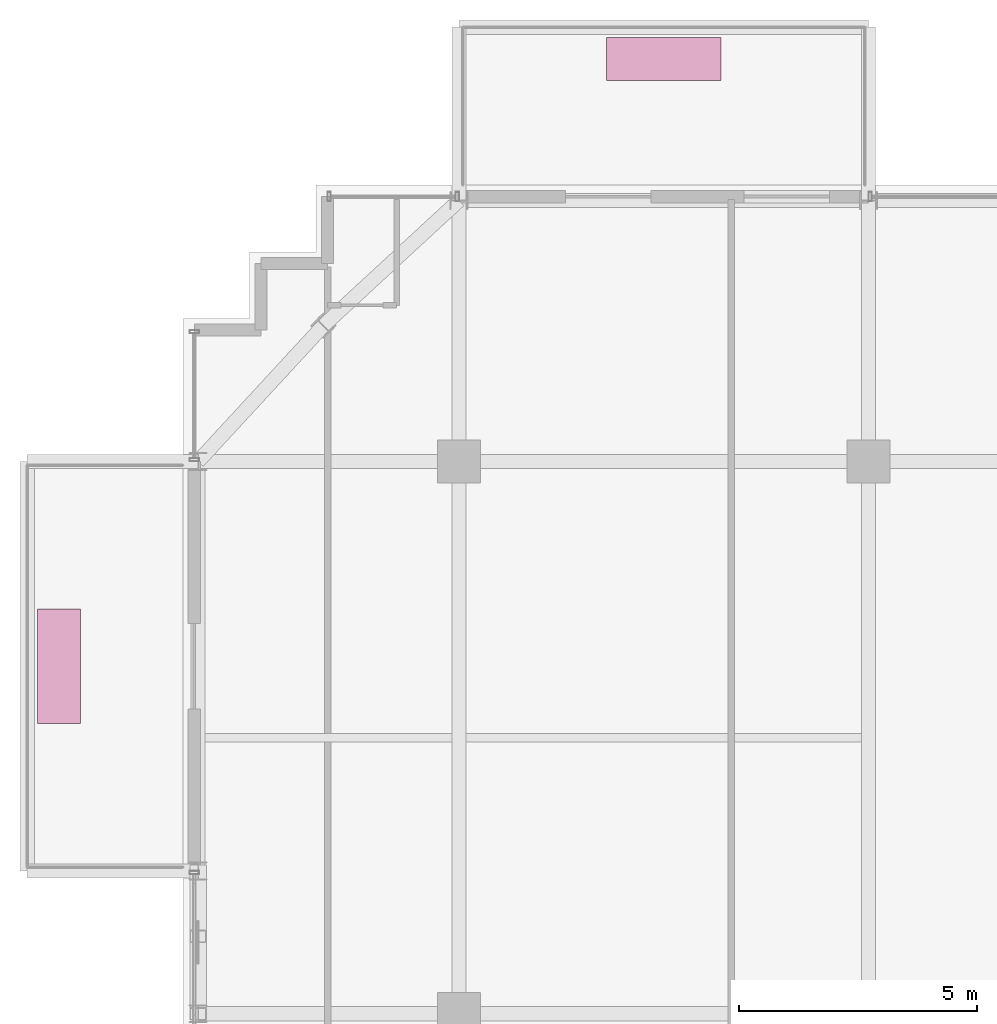
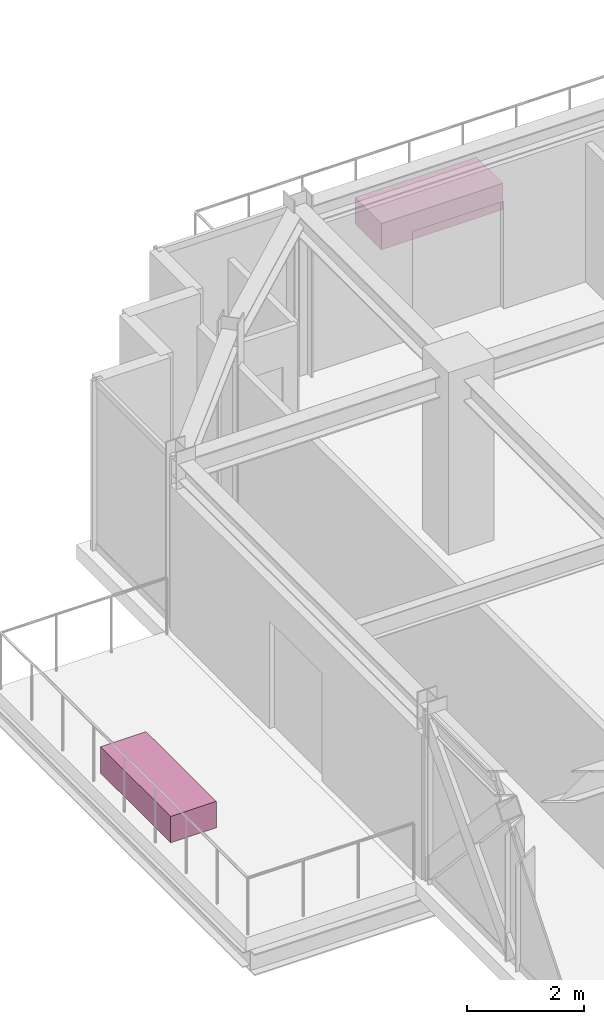
# One storey, part 40 of 40: 2 furnishings.
"""IFC4 building model written with IfcOpenShell, lengths in metres."""

from ifc_helpers import new_model, si_unit, direction, frame, origin, origin_2d, place, context, subcontext, project, spatial, rectangle, extrude, source, transform, mapped, material, type_object, element, save


model = new_model("IFC4")

# Units and contexts
model_context = context("Model", 3, precision=1e-05, world=origin(), true_north=direction((0.0, 1.0)))
body_context = subcontext(model_context, "Body", "Model", "MODEL_VIEW")
ifc_project = project(units=[si_unit("LENGTHUNIT", "METRE"), si_unit("AREAUNIT", "SQUARE_METRE"), si_unit("VOLUMEUNIT", "CUBIC_METRE"), si_unit("PLANEANGLEUNIT", "RADIAN"), si_unit("MASSUNIT", "GRAM", prefix="KILO")], contexts=[model_context])

# Site, building, storey
site_placement = place(None, origin())
site = spatial("IfcSite", under=ifc_project, at=site_placement, CompositionType="ELEMENT")
building_placement = place(site_placement, origin())
building = spatial("IfcBuilding", under=site, at=building_placement, Name="Nahalor Promenade Grand Hotel", CompositionType="ELEMENT")
storey_placement = place(building_placement, frame((0.0, 0.0, 288.800048828125)))
storey = spatial("IfcBuildingStorey", under=building, at=storey_placement, Name="L74", CompositionType="ELEMENT", Elevation=288.800048828125)

# Furnishings
ifc_material = material(Name="Vegetated Volcanic-Lapilli Tree Planter", Category="earth")
furnishing_element_type = type_object("IfcFurnishingElementType", Name="Planter-VerticalForest-Box", material=ifc_material)
shared_shape = source(origin(), body_context, "Body", "SweptSolid", [
    extrude(rectangle(XDim=2.39990234375, YDim=0.89990234375, at=origin_2d()), origin(), (0.0, 0.0, 1.0), 0.550048828125),
])
for number, where, z_axis, x_axis, name in (
    (1, (-12.699951171875, 25.449951171875, 0.0), (0.0, 0.0, 1.0), (1.0, 0.0, 0.0), "L74 Balcony Structural Tree Planter 1"),
    (2, (-25.39990234375, 12.699951171875, 0.0), (0.0, 0.0, 1.0), (0.0, 1.0, 0.0), "L74 Balcony Structural Tree Planter 2"),
):
    element("IfcFurnishingElement", number, at=place(storey_placement, frame(where, z_axis=z_axis, x_axis=x_axis)), inside=storey, type_object=furnishing_element_type, Name=name, ObjectType="PLANTER", context=body_context, shape_type="MappedRepresentation", body=[
        mapped(shared_shape, transform((0.0, 0.0, 0.0), scale=1.0)),
    ])

save(model, "model.ifc")
